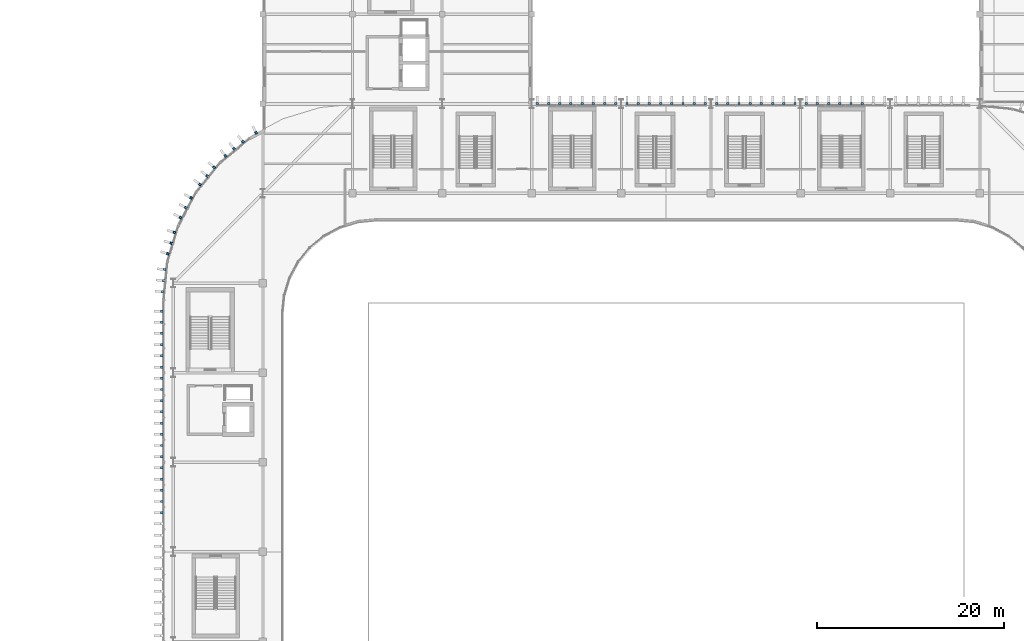
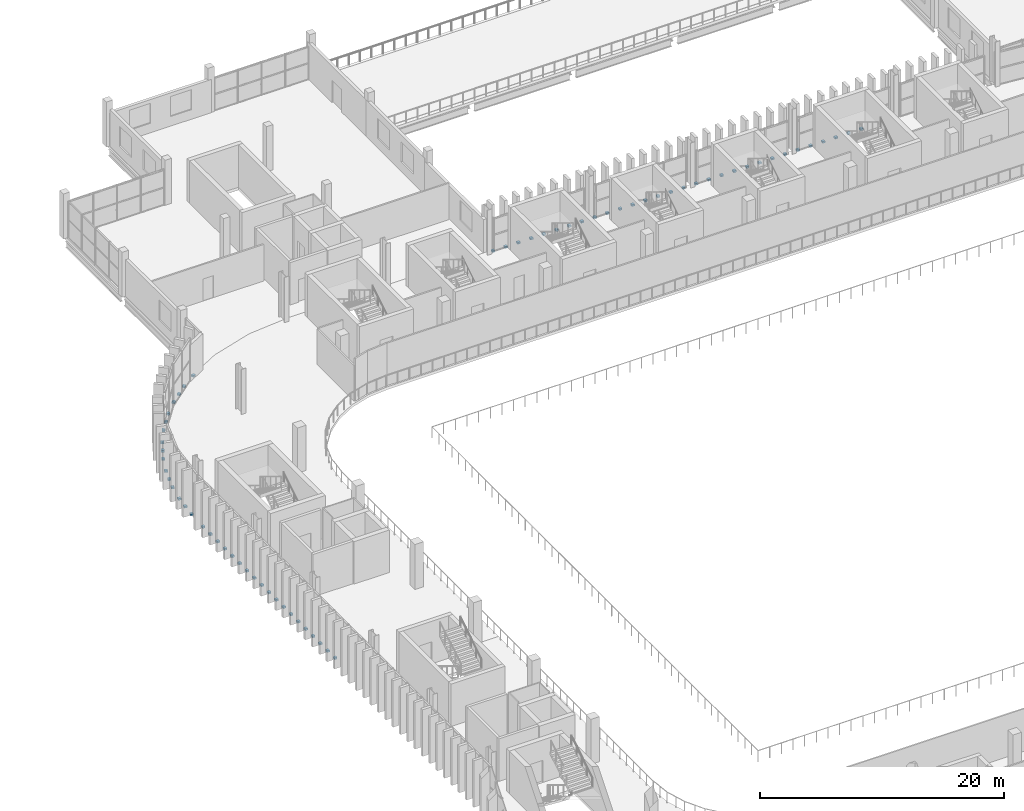
# One storey, part 58 of 75: 65 discrete accessories.
"""IFC4 building model written with IfcOpenShell, lengths in metres."""

from ifc_helpers import new_model, si_unit, direction, frame, origin, origin_2d, place, context, subcontext, project, spatial, rectangle, extrude, material, type_object, element, save


model = new_model("IFC4")

# Units and contexts
model_context = context("Model", 3, precision=1e-05, world=origin(), true_north=direction((0.0, 1.0)))
body_context = subcontext(model_context, "Body", "Model", "MODEL_VIEW")
ifc_project = project(units=[si_unit("LENGTHUNIT", "METRE"), si_unit("AREAUNIT", "SQUARE_METRE"), si_unit("VOLUMEUNIT", "CUBIC_METRE"), si_unit("PLANEANGLEUNIT", "RADIAN"), si_unit("MASSUNIT", "GRAM", prefix="KILO")], contexts=[model_context])

# Site, building, storey
site_placement = place(None, origin())
site = spatial("IfcSite", under=ifc_project, at=site_placement, CompositionType="ELEMENT")
building_placement = place(site_placement, origin())
building = spatial("IfcBuilding", under=site, at=building_placement, Name="Caelomonte Colonnade Arena", CompositionType="ELEMENT")
storey_placement = place(building_placement, frame((0.0, 0.0, 14.10009765625)))
storey = spatial("IfcBuildingStorey", under=building, at=storey_placement, Name="L03", CompositionType="ELEMENT", Elevation=14.10009765625)

# Discrete accessories
ifc_material = material(Name="Steel ASTM A572 Grade 50", Category="steel")
discrete_accessory_type = type_object("IfcDiscreteAccessoryType", Name="ENV-ACC-BRK", PredefinedType="BRACKET", material=ifc_material)
for number, where, z_axis, x_axis, name in (
    (1, (131.39990234375, 115.22998046875, -0.2099609375), (0.0, 0.0, 1.0), (-1.0, 0.0, 0.0), "V1 L03 fin support bracket 102"),
    (2, (130.199951171875, 115.22998046875, -0.2099609375), (0.0, 0.0, 1.0), (-1.0, 0.0, 0.0), "V1 L03 fin support bracket 103"),
    (3, (129.0, 115.22998046875, -0.2099609375), (0.0, 0.0, 1.0), (-1.0, 0.0, 0.0), "V1 L03 fin support bracket 104"),
    (4, (127.800048828125, 115.22998046875, -0.2099609375), (0.0, 0.0, 1.0), (-1.0, 0.0, 0.0), "V1 L03 fin support bracket 105"),
    (5, (126.60009765625, 115.22998046875, -0.2099609375), (0.0, 0.0, 1.0), (-1.0, 0.0, 0.0), "V1 L03 fin support bracket 106"),
    (6, (125.39990234375, 115.22998046875, -0.2099609375), (0.0, 0.0, 1.0), (-1.0, 0.0, 0.0), "V1 L03 fin support bracket 107"),
    (7, (124.199951171875, 115.22998046875, -0.2099609375), (0.0, 0.0, 1.0), (-1.0, 0.0, 0.0), "V1 L03 fin support bracket 108"),
    (8, (123.0, 115.22998046875, -0.2099609375), (0.0, 0.0, 1.0), (-1.0, 0.0, 0.0), "V1 L03 fin support bracket 109"),
    (9, (121.800048828125, 115.22998046875, -0.2099609375), (0.0, 0.0, 1.0), (-1.0, 0.0, 0.0), "V1 L03 fin support bracket 110"),
    (10, (120.60009765625, 115.22998046875, -0.2099609375), (0.0, 0.0, 1.0), (-1.0, 0.0, 0.0), "V1 L03 fin support bracket 111"),
    (11, (119.39990234375, 115.22998046875, -0.2099609375), (0.0, 0.0, 1.0), (-1.0, 0.0, 0.0), "V1 L03 fin support bracket 112"),
    (12, (118.199951171875, 115.22998046875, -0.2099609375), (0.0, 0.0, 1.0), (-1.0, 0.0, 0.0), "V1 L03 fin support bracket 113"),
    (13, (117.0, 115.22998046875, -0.2099609375), (0.0, 0.0, 1.0), (-1.0, 0.0, 0.0), "V1 L03 fin support bracket 114"),
    (14, (115.800048828125, 115.22998046875, -0.2099609375), (0.0, 0.0, 1.0), (-1.0, 0.0, 0.0), "V1 L03 fin support bracket 115"),
    (15, (114.60009765625, 115.22998046875, -0.2099609375), (0.0, 0.0, 1.0), (-1.0, 0.0, 0.0), "V1 L03 fin support bracket 116"),
    (16, (113.39990234375, 115.22998046875, -0.2099609375), (0.0, 0.0, 1.0), (-1.0, 0.0, 0.0), "V1 L03 fin support bracket 117"),
    (17, (112.199951171875, 115.22998046875, -0.2099609375), (0.0, 0.0, 1.0), (-1.0, 0.0, 0.0), "V1 L03 fin support bracket 118"),
    (18, (111.0, 115.22998046875, -0.2099609375), (0.0, 0.0, 1.0), (-1.0, 0.0, 0.0), "V1 L03 fin support bracket 119"),
    (19, (109.800048828125, 115.22998046875, -0.2099609375), (0.0, 0.0, 1.0), (-1.0, 0.0, 0.0), "V1 L03 fin support bracket 120"),
    (20, (108.60009765625, 115.22998046875, -0.2099609375), (0.0, 0.0, 1.0), (-1.0, 0.0, 0.0), "V1 L03 fin support bracket 121"),
    (21, (107.39990234375, 115.22998046875, -0.2099609375), (0.0, 0.0, 1.0), (-1.0, 0.0, 0.0), "V1 L03 fin support bracket 122"),
    (22, (106.199951171875, 115.22998046875, -0.2099609375), (0.0, 0.0, 1.0), (-1.0, 0.0, 0.0), "V1 L03 fin support bracket 123"),
    (23, (105.0, 115.22998046875, -0.2099609375), (0.0, 0.0, 1.0), (-1.0, 0.0, 0.0), "V1 L03 fin support bracket 124"),
    (24, (103.800048828125, 115.22998046875, -0.2099609375), (0.0, 0.0, 1.0), (-1.0, 0.0, 0.0), "V1 L03 fin support bracket 125"),
    (25, (102.60009765625, 115.22998046875, -0.2099609375), (0.0, 0.0, 1.0), (-1.0, 0.0, 0.0), "V1 L03 fin support bracket 126"),
    (26, (101.39990234375, 115.22998046875, -0.2099609375), (0.0, 0.0, 1.0), (-1.0, 0.0, 0.0), "V1 L03 fin support bracket 127"),
    (27, (100.199951171875, 115.22998046875, -0.2099609375), (0.0, 0.0, 1.0), (-1.0, 0.0, 0.0), "V1 L03 fin support bracket 128"),
    (28, (99.0, 115.22998046875, -0.2099609375), (0.0, 0.0, 1.0), (-1.0, 0.0, 0.0), "V1 L03 fin support bracket 129"),
    (29, (97.800048828125, 115.22998046875, -0.2099609375), (0.0, 0.0, 1.0), (-1.0, 0.0, 0.0), "V1 L03 fin support bracket 130"),
    (30, (96.60009765625, 115.22998046875, -0.2099609375), (0.0, 0.0, 1.0), (-1.0, 0.0, 0.0), "V1 L03 fin support bracket 131"),
    (31, (66.475830078125, 112.092041015625, -0.2099609375), (0.0, 0.0, 1.0), (-0.881921264348, -0.471396736826, 0.0), "V1 L03 fin support bracket 155"),
    (32, (65.050537109375, 111.139404296875, -0.2099609375), (0.0, 0.0, 1.0), (-0.77299384472, -0.634413521313, 0.0), "V1 L03 fin support bracket 156"),
    (33, (64.122802734375, 110.378173828125, -0.2099609375), (0.0, 0.0, 1.0), (-0.77299384472, -0.634413521313, 0.0), "V1 L03 fin support bracket 157"),
    (34, (63.1953125, 109.616943359375, -0.2099609375), (0.0, 0.0, 1.0), (-0.77299384472, -0.634413521313, 0.0), "V1 L03 fin support bracket 158"),
    (35, (61.983154296875, 108.40478515625, -0.2099609375), (0.0, 0.0, 1.0), (-0.634413521313, -0.77299384472, 0.0), "V1 L03 fin support bracket 159"),
    (36, (61.2216796875, 107.47705078125, -0.2099609375), (0.0, 0.0, 1.0), (-0.634413521313, -0.77299384472, 0.0), "V1 L03 fin support bracket 160"),
    (37, (60.46044921875, 106.549560546875, -0.2099609375), (0.0, 0.0, 1.0), (-0.634413521313, -0.77299384472, 0.0), "V1 L03 fin support bracket 161"),
    (38, (59.508056640625, 105.1240234375, -0.2099609375), (0.0, 0.0, 1.0), (-0.471396736826, -0.881921264348, 0.0), "V1 L03 fin support bracket 162"),
    (39, (58.9423828125, 104.06591796875, -0.2099609375), (0.0, 0.0, 1.0), (-0.471396736826, -0.881921264348, 0.0), "V1 L03 fin support bracket 163"),
    (40, (58.376708984375, 103.007568359375, -0.2099609375), (0.0, 0.0, 1.0), (-0.471396736826, -0.881921264348, 0.0), "V1 L03 fin support bracket 164"),
    (41, (57.720703125, 101.423583984375, -0.2099609375), (0.0, 0.0, 1.0), (-0.290276326364, -0.956942868907, 0.0), "V1 L03 fin support bracket 165"),
    (42, (57.372314453125, 100.275390625, -0.2099609375), (0.0, 0.0, 1.0), (-0.290276326364, -0.956942868907, 0.0), "V1 L03 fin support bracket 166"),
    (43, (57.02392578125, 99.126953125, -0.2099609375), (0.0, 0.0, 1.0), (-0.290276326364, -0.956942868907, 0.0), "V1 L03 fin support bracket 167"),
    (44, (56.689453125, 97.445556640625, -0.2099609375), (0.0, 0.0, 1.0), (-0.098015403404, -0.995184897743, 0.0), "V1 L03 fin support bracket 168"),
    (45, (56.572021484375, 96.25146484375, -0.2099609375), (0.0, 0.0, 1.0), (-0.098015403404, -0.995184897743, 0.0), "V1 L03 fin support bracket 169"),
    (46, (56.454345703125, 95.05712890625, -0.2099609375), (0.0, 0.0, 1.0), (-0.098015403404, -0.995184897743, 0.0), "V1 L03 fin support bracket 170"),
    (47, (56.3701171875, 93.0, -0.2099609375), (0.0, 0.0, 1.0), (0.0, -1.0, 0.0), "V1 L03 fin support bracket 171"),
    (48, (56.3701171875, 91.800048828125, -0.2099609375), (0.0, 0.0, 1.0), (0.0, -1.0, 0.0), "V1 L03 fin support bracket 172"),
    (49, (56.3701171875, 90.60009765625, -0.2099609375), (0.0, 0.0, 1.0), (0.0, -1.0, 0.0), "V1 L03 fin support bracket 173"),
    (50, (56.3701171875, 89.39990234375, -0.2099609375), (0.0, 0.0, 1.0), (0.0, -1.0, 0.0), "V1 L03 fin support bracket 174"),
    (51, (56.3701171875, 88.199951171875, -0.2099609375), (0.0, 0.0, 1.0), (0.0, -1.0, 0.0), "V1 L03 fin support bracket 175"),
    (52, (56.3701171875, 87.0, -0.2099609375), (0.0, 0.0, 1.0), (0.0, -1.0, 0.0), "V1 L03 fin support bracket 176"),
    (53, (56.3701171875, 85.800048828125, -0.2099609375), (0.0, 0.0, 1.0), (0.0, -1.0, 0.0), "V1 L03 fin support bracket 177"),
    (54, (56.3701171875, 84.60009765625, -0.2099609375), (0.0, 0.0, 1.0), (0.0, -1.0, 0.0), "V1 L03 fin support bracket 178"),
    (55, (56.3701171875, 83.39990234375, -0.2099609375), (0.0, 0.0, 1.0), (0.0, -1.0, 0.0), "V1 L03 fin support bracket 179"),
    (56, (56.3701171875, 82.199951171875, -0.2099609375), (0.0, 0.0, 1.0), (0.0, -1.0, 0.0), "V1 L03 fin support bracket 180"),
    (57, (56.3701171875, 81.0, -0.2099609375), (0.0, 0.0, 1.0), (0.0, -1.0, 0.0), "V1 L03 fin support bracket 181"),
    (58, (56.3701171875, 79.800048828125, -0.2099609375), (0.0, 0.0, 1.0), (0.0, -1.0, 0.0), "V1 L03 fin support bracket 182"),
    (59, (56.3701171875, 78.60009765625, -0.2099609375), (0.0, 0.0, 1.0), (0.0, -1.0, 0.0), "V1 L03 fin support bracket 183"),
    (60, (56.3701171875, 77.39990234375, -0.2099609375), (0.0, 0.0, 1.0), (0.0, -1.0, 0.0), "V1 L03 fin support bracket 184"),
    (61, (56.3701171875, 76.199951171875, -0.2099609375), (0.0, 0.0, 1.0), (0.0, -1.0, 0.0), "V1 L03 fin support bracket 185"),
    (62, (56.3701171875, 75.0, -0.2099609375), (0.0, 0.0, 1.0), (0.0, -1.0, 0.0), "V1 L03 fin support bracket 186"),
    (63, (56.3701171875, 73.800048828125, -0.2099609375), (0.0, 0.0, 1.0), (0.0, -1.0, 0.0), "V1 L03 fin support bracket 187"),
    (64, (56.3701171875, 72.60009765625, -0.2099609375), (0.0, 0.0, 1.0), (0.0, -1.0, 0.0), "V1 L03 fin support bracket 188"),
    (65, (56.3701171875, 71.39990234375, -0.2099609375), (0.0, 0.0, 1.0), (0.0, -1.0, 0.0), "V1 L03 fin support bracket 189"),
):
    element("IfcDiscreteAccessory", number, at=place(storey_placement, frame(where, z_axis=z_axis, x_axis=x_axis)), inside=storey, type_object=discrete_accessory_type, Name=name, PredefinedType="BRACKET", context=body_context, shape_type="SweptSolid", body=[
        extrude(rectangle(XDim=0.260009765625, YDim=0.260009765625, at=origin_2d()), origin(), (0.0, 0.0, 1.0), 0.179931640625),
    ])

save(model, "model.ifc")
